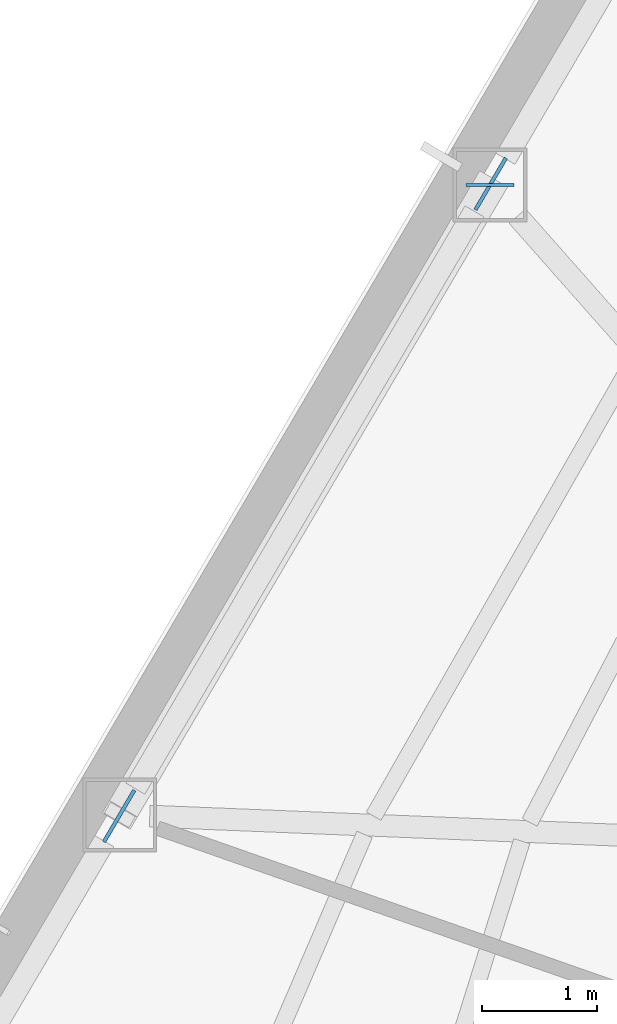
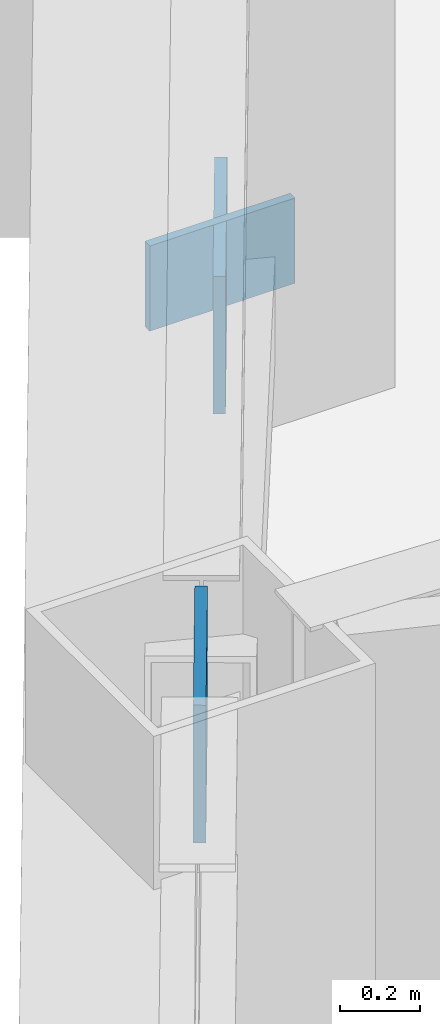
# One storey, part 5 of 14: 3 plates.
"""IFC4 building model written with IfcOpenShell, lengths in metres."""

from ifc_helpers import new_model, si_unit, direction, frame, origin, origin_2d, place, context, subcontext, project, spatial, rectangle, extrude, material, layer, layer_set, type_object, element, save


model = new_model("IFC4")

# Units and contexts
model_context = context("Model", 3, precision=1e-05, world=origin(), true_north=direction((0.0, 1.0)))
body_context = subcontext(model_context, "Body", "Model", "MODEL_VIEW")
ifc_project = project(units=[si_unit("LENGTHUNIT", "METRE"), si_unit("AREAUNIT", "SQUARE_METRE"), si_unit("VOLUMEUNIT", "CUBIC_METRE"), si_unit("PLANEANGLEUNIT", "RADIAN"), si_unit("MASSUNIT", "GRAM", prefix="KILO")], contexts=[model_context])

# Site, building, storey
site_placement = place(None, origin())
site = spatial("IfcSite", under=ifc_project, at=site_placement, CompositionType="ELEMENT")
building_placement = place(site_placement, origin())
building = spatial("IfcBuilding", under=site, at=building_placement, Name="Kavelnor Concourse Tower", CompositionType="ELEMENT")
storey_placement = place(building_placement, frame((0.0, 0.0, 215.050048828125)))
storey = spatial("IfcBuildingStorey", under=building, at=storey_placement, Name="L54", CompositionType="ELEMENT", Elevation=215.050048828125)

# Plates
ifc_material = material(Name="Steel Grade 350", Category="steel")
ifc_layer_1 = layer(ifc_material, 0.031982421875, Name="Steel Grade 350")
ifc_layer_set_1 = layer_set([ifc_layer_1], Name="Steel Grade 350")
plate_type_1 = type_object("IfcPlateType", Name="PL-GUSSET-TUBE-Z1", PredefinedType="USERDEFINED", material=ifc_layer_set_1)
for number, where, z_axis, x_axis, name in (
    (1, (24.25390625, 27.51904296875, 0.010009765625), (0.0, 0.0, 1.0), (-0.50663578889, -0.862160180834, 0.0), "L54 Tube Brace Gusset GP3 F0-B3 End Gusset A"),
    (2, (21.027587890625, 22.029296875, 3.159912109375), (0.0, 0.0, 1.0), (-0.50663578889, -0.862160180834, 0.0), "L54 Tube Brace Gusset GP3 F0-B3 End Gusset B"),
):
    element("IfcPlate", number, at=place(storey_placement, frame(where, z_axis=z_axis, x_axis=x_axis)), inside=storey, type_object=plate_type_1, Name=name, ObjectType="GUSSET_PLATE", PredefinedType="USERDEFINED", context=body_context, shape_type="SweptSolid", body=[
        extrude(rectangle(XDim=0.52001953125, YDim=0.031982421875, at=origin_2d()), origin(), (0.0, 0.0, 1.0), 0.419921875),
    ])
ifc_layer_2 = layer(ifc_material, 0.02490234375, Name="Steel Grade 350")
ifc_layer_set_2 = layer_set([ifc_layer_2], Name="Steel Grade 350")
plate_type_2 = type_object("IfcPlateType", Name="PL-SPLICE-FLANGE", PredefinedType="SHEET", material=ifc_layer_set_2)
plate_placement = place(storey_placement, frame((24.247802734375, 27.5087890625, 0.169921875), z_axis=(0.0, 0.0, 1.0), x_axis=(1.0, 0.0, 0.0)))
element("IfcPlate", 3, at=plate_placement, inside=storey, type_object=plate_type_2, Name="L54 Column Flange Splice Plate F0-B3", PredefinedType="SHEET", context=body_context, shape_type="SweptSolid", body=[
    extrude(rectangle(XDim=0.419921875, YDim=0.02490234375, at=origin_2d()), origin(), (0.0, 0.0, 1.0), 0.260009765625),
])

save(model, "model.ifc")
